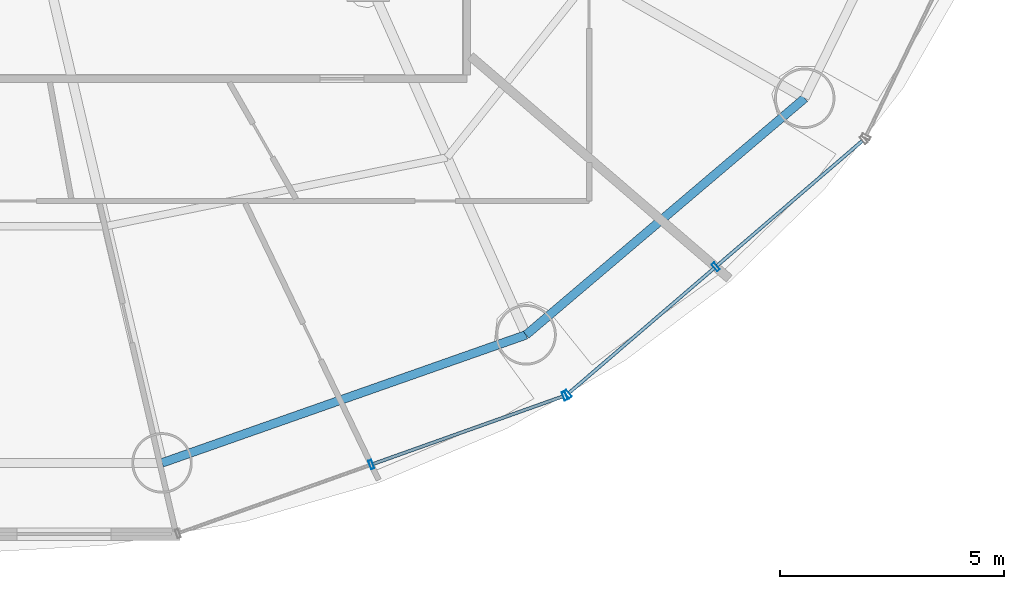
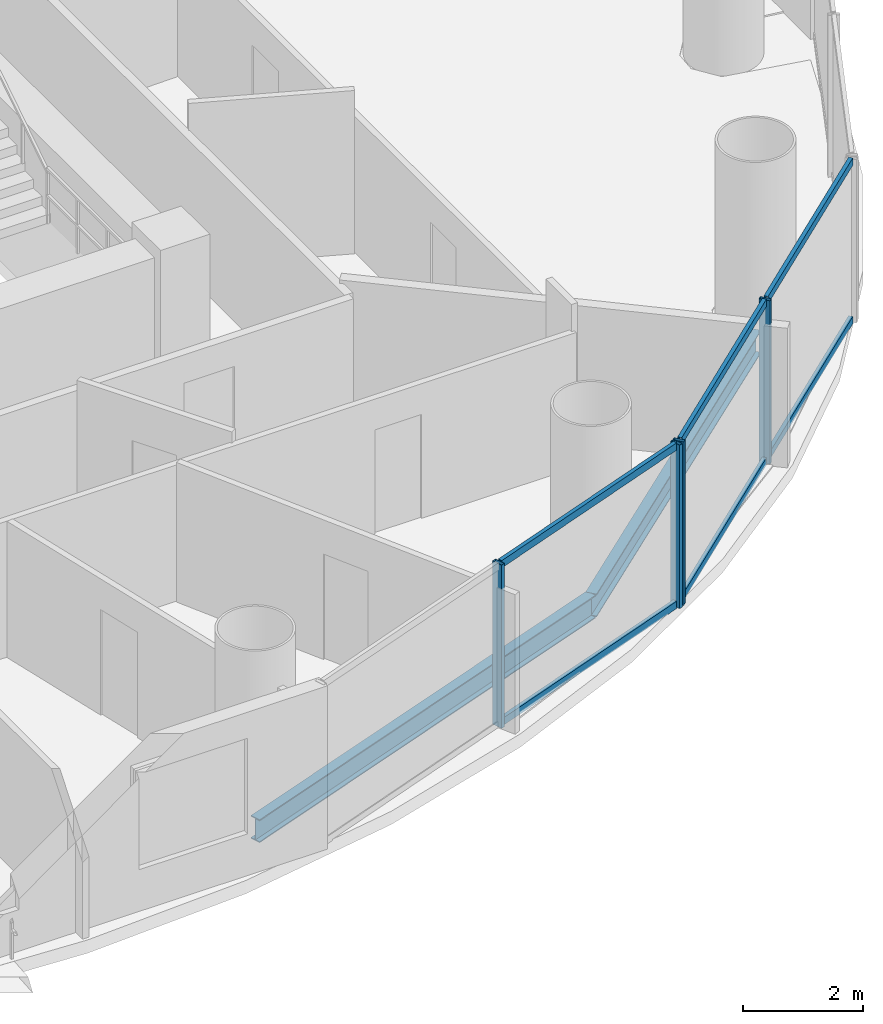
# One storey, part 9 of 27: 10 members, 2 beams, 2 elements without a shape of their own.
"""IFC4 building model written with IfcOpenShell, lengths in metres."""

from ifc_helpers import new_model, si_unit, direction, frame, origin, origin_2d, place, context, subcontext, project, spatial, hollow_rectangle, i_section, extrude, source, transform, mapped, material, material_profile, profile_set, type_object, element, aggregate, save


model = new_model("IFC4")

# Units and contexts
model_context = context("Model", 3, precision=1e-05, world=origin(), true_north=direction((-0.2419218956, 0.970295726276)))
body_context = subcontext(model_context, "Body", "Model", "MODEL_VIEW")
ifc_project = project(units=[si_unit("LENGTHUNIT", "METRE"), si_unit("AREAUNIT", "SQUARE_METRE"), si_unit("VOLUMEUNIT", "CUBIC_METRE"), si_unit("PLANEANGLEUNIT", "RADIAN"), si_unit("MASSUNIT", "GRAM", prefix="KILO")], contexts=[model_context])

# Site, building, storey
site_placement = place(None, origin())
site = spatial("IfcSite", under=ifc_project, at=site_placement, CompositionType="ELEMENT")
building_placement = place(site_placement, origin())
building = spatial("IfcBuilding", under=site, at=building_placement, Name="Cobrevalo Terracotta Tower", CompositionType="ELEMENT")
storey_placement = place(building_placement, frame((0.0, 0.0, 153.39990234375)))
storey = spatial("IfcBuildingStorey", under=building, at=storey_placement, Name="L40", CompositionType="ELEMENT", Elevation=153.39990234375)

# Beams
ifc_material_1 = material(Name="Steel S355", Category="steel")
ifc_material_profile_1 = material_profile(ifc_material_1, i_section(OverallWidth=0.194091796875, OverallDepth=0.468994140625, WebThickness=0.011474609375, FlangeThickness=0.0205078125, at=origin_2d()), Name="W 460x106")
ifc_profile_set_1 = profile_set([ifc_material_profile_1], Name="Steel S355")
beam_type = type_object("IfcBeamType", Name="Structural Spandrel W 460x106 (Steel S355)", PredefinedType="SPANDREL", material=ifc_profile_set_1)
beam_1_placement = place(storey_placement, frame((42.399169921875, 8.01806640625, -0.50439453125), z_axis=(0.943341298492, 0.331824041565, 0.0), x_axis=(-0.331824041565, 0.943341298492, 0.0)))
element("IfcBeam", 1, at=beam_1_placement, inside=storey, type_object=beam_type, Name="L40 perimeter ring spandrel 13", PredefinedType="SPANDREL", context=body_context, shape_type="SweptSolid", body=[
    extrude(i_section(OverallWidth=0.194091796875, OverallDepth=0.468994140625, WebThickness=0.011474609375, FlangeThickness=0.0205078125, at=origin_2d()), origin(), (0.0, 0.0, 1.0), 8.6171875),
])
beam_2_placement = place(storey_placement, frame((50.528076171875, 10.87744140625, -0.50439453125), z_axis=(0.762240337798, 0.647294112003, 0.0), x_axis=(-0.647294112003, 0.762240337798, 0.0)))
element("IfcBeam", 2, at=beam_2_placement, inside=storey, type_object=beam_type, Name="L40 perimeter ring spandrel 14", PredefinedType="SPANDREL", context=body_context, shape_type="SweptSolid", body=[
    extrude(i_section(OverallWidth=0.194091796875, OverallDepth=0.468994140625, WebThickness=0.011474609375, FlangeThickness=0.0205078125, at=origin_2d()), origin(), (0.0, 0.0, 1.0), 8.162353515625),
])

# Curtain wall, members
ifc_material_2 = material(Name="Anodized aluminium", Category="aluminium")
curtain_wall_type = type_object("IfcCurtainWallType", Name="Mid-tower high-wind unitised curtain wall CW-U2", PredefinedType="NOTDEFINED", material=ifc_material_2)
curtain_wall_1_placement = place(storey_placement, origin())
curtain_wall_1 = element("IfcCurtainWall", 3, at=curtain_wall_1_placement, inside=storey, type_object=curtain_wall_type, Name="L40 curtain wall CW-L40-S13", PredefinedType="NOTDEFINED")
ifc_material_profile_2 = material_profile(ifc_material_2, hollow_rectangle(XDim=0.074951171875, YDim=0.199951171875, WallThickness=0.0048828125, at=origin_2d()), Name="CWM 75x200")
ifc_profile_set_2 = profile_set([ifc_material_profile_2], Name="Anodized aluminium")
member_type_1 = type_object("IfcMemberType", Name="Lower/mid tower unitised mullion 75x200", PredefinedType="MULLION", material=ifc_profile_set_2)
shared_shape_1 = source(origin(), body_context, "Body", "SweptSolid", [
    extrude(hollow_rectangle(XDim=0.074951171875, YDim=0.199951171875, WallThickness=0.0048828125, at=origin_2d()), origin(), (0.0, 0.0, 1.0), 3.330078125),
])
member_1_placement = place(storey_placement, frame((47.07177734375, 7.979736328125, 0.0), z_axis=(0.0, 0.0, 1.0), x_axis=(0.942098428897, 0.335336473217, 0.0)))
member_1 = element("IfcMember", 4, at=member_1_placement, type_object=member_type_1, Name="CW-L40-S13 vertical mullion 02", PredefinedType="MULLION", context=body_context, shape_type="MappedRepresentation", body=[
    mapped(shared_shape_1, transform((0.0, 0.0, 0.0), scale=1.0)),
])
member_2_placement = place(storey_placement, frame((51.390380859375, 9.516845703125, 0.0), z_axis=(0.0, 0.0, 1.0), x_axis=(0.942098428897, 0.335336473217, 0.0)))
member_2 = element("IfcMember", 5, at=member_2_placement, type_object=member_type_1, Name="CW-L40-S13 vertical mullion 03", PredefinedType="MULLION", context=body_context, shape_type="MappedRepresentation", body=[
    mapped(shared_shape_1, transform((0.0, 0.0, 0.0), scale=1.0)),
])

curtain_wall_2_placement = place(storey_placement, origin())
curtain_wall_2 = element("IfcCurtainWall", 6, at=curtain_wall_2_placement, inside=storey, type_object=curtain_wall_type, Name="L40 curtain wall CW-L40-S14", PredefinedType="NOTDEFINED")
member_3_placement = place(storey_placement, frame((51.45849609375, 9.556396484375, 0.0), z_axis=(0.0, 0.0, 1.0), x_axis=(0.758441546142, 0.65174106905, 0.0)))
member_3 = element("IfcMember", 7, at=member_3_placement, type_object=member_type_1, Name="CW-L40-S14 vertical mullion 01", PredefinedType="MULLION", context=body_context, shape_type="MappedRepresentation", body=[
    mapped(shared_shape_1, transform((0.0, 0.0, 0.0), scale=1.0)),
])
member_4_placement = place(storey_placement, frame((54.762451171875, 12.3955078125, 0.0), z_axis=(0.0, 0.0, 1.0), x_axis=(0.758441546142, 0.65174106905, 0.0)))
member_4 = element("IfcMember", 8, at=member_4_placement, type_object=member_type_1, Name="CW-L40-S14 vertical mullion 02", PredefinedType="MULLION", context=body_context, shape_type="MappedRepresentation", body=[
    mapped(shared_shape_1, transform((0.0, 0.0, 0.0), scale=1.0)),
])
ifc_material_profile_3 = material_profile(ifc_material_2, hollow_rectangle(XDim=0.074951171875, YDim=0.14990234375, WallThickness=0.00439453125, at=origin_2d()), Name="CWT 75x150")
ifc_profile_set_3 = profile_set([ifc_material_profile_3], Name="Anodized aluminium")
member_type_2 = type_object("IfcMemberType", Name="Tower unitised aluminium transom 75x150", PredefinedType="USERDEFINED", material=ifc_profile_set_3)
shared_shape_2 = source(origin(), body_context, "Body", "SweptSolid", [
    extrude(hollow_rectangle(XDim=0.074951171875, YDim=0.14990234375, WallThickness=0.00439453125, at=origin_2d()), origin(), (0.0, 0.0, 1.0), 4.276123046875),
])
member_5_placement = place(storey_placement, frame((51.48876953125, 9.58251953125, 0.050048828125), z_axis=(0.758417719247, 0.651768795764, 0.0), x_axis=(-0.651768795764, 0.758417719247, 0.0)))
member_5 = element("IfcMember", 9, at=member_5_placement, type_object=member_type_2, Name="CW-L40-S14 transom B01-T1", ObjectType="TRANSOM", PredefinedType="USERDEFINED", context=body_context, shape_type="MappedRepresentation", body=[
    mapped(shared_shape_2, transform((0.0, 0.0, 0.0), scale=1.0)),
])
member_6_placement = place(storey_placement, frame((51.48876953125, 9.58251953125, 3.280029296875), z_axis=(0.758417719247, 0.651768795764, 0.0), x_axis=(-0.651768795764, 0.758417719247, 0.0)))
member_6 = element("IfcMember", 10, at=member_6_placement, type_object=member_type_2, Name="CW-L40-S14 transom B01-T2", ObjectType="TRANSOM", PredefinedType="USERDEFINED", context=body_context, shape_type="MappedRepresentation", body=[
    mapped(shared_shape_2, transform((0.0, 0.0, 0.0), scale=1.0)),
])
member_7_placement = place(storey_placement, frame((54.792724609375, 12.421630859375, 0.050048828125), z_axis=(0.758417719247, 0.651768795764, 0.0), x_axis=(-0.651768795764, 0.758417719247, 0.0)))
member_7 = element("IfcMember", 11, at=member_7_placement, type_object=member_type_2, Name="CW-L40-S14 transom B02-T1", ObjectType="TRANSOM", PredefinedType="USERDEFINED", context=body_context, shape_type="MappedRepresentation", body=[
    mapped(shared_shape_2, transform((0.0, 0.0, 0.0), scale=1.0)),
])
member_8_placement = place(storey_placement, frame((54.792724609375, 12.421630859375, 3.280029296875), z_axis=(0.758417719247, 0.651768795764, 0.0), x_axis=(-0.651768795764, 0.758417719247, 0.0)))
member_8 = element("IfcMember", 12, at=member_8_placement, type_object=member_type_2, Name="CW-L40-S14 transom B02-T2", ObjectType="TRANSOM", PredefinedType="USERDEFINED", context=body_context, shape_type="MappedRepresentation", body=[
    mapped(shared_shape_2, transform((0.0, 0.0, 0.0), scale=1.0)),
])
aggregate(curtain_wall_2, [member_3, member_4, member_5, member_6, member_7, member_8])

# Member
shared_shape_3 = source(origin(), body_context, "Body", "SweptSolid", [
    extrude(hollow_rectangle(XDim=0.074951171875, YDim=0.14990234375, WallThickness=0.00439453125, at=origin_2d()), origin(), (0.0, 0.0, 1.0), 4.504150390625),
])
member_9_placement = place(storey_placement, frame((47.109375, 7.9931640625, 0.050048828125), z_axis=(0.942093344241, 0.335350757771, 0.0), x_axis=(-0.335350757771, 0.942093344241, 0.0)))
member_9 = element("IfcMember", 13, at=member_9_placement, type_object=member_type_2, Name="CW-L40-S13 transom B02-T1", ObjectType="TRANSOM", PredefinedType="USERDEFINED", context=body_context, shape_type="MappedRepresentation", body=[
    mapped(shared_shape_3, transform((0.0, 0.0, 0.0), scale=1.0)),
])

member_10_placement = place(storey_placement, frame((47.109375, 7.9931640625, 3.280029296875), z_axis=(0.942093344241, 0.335350757771, 0.0), x_axis=(-0.335350757771, 0.942093344241, 0.0)))
member_10 = element("IfcMember", 14, at=member_10_placement, type_object=member_type_2, Name="CW-L40-S13 transom B02-T2", ObjectType="TRANSOM", PredefinedType="USERDEFINED", context=body_context, shape_type="MappedRepresentation", body=[
    mapped(shared_shape_3, transform((0.0, 0.0, 0.0), scale=1.0)),
])

aggregate(curtain_wall_1, [member_1, member_2, member_9, member_10])

save(model, "model.ifc")
